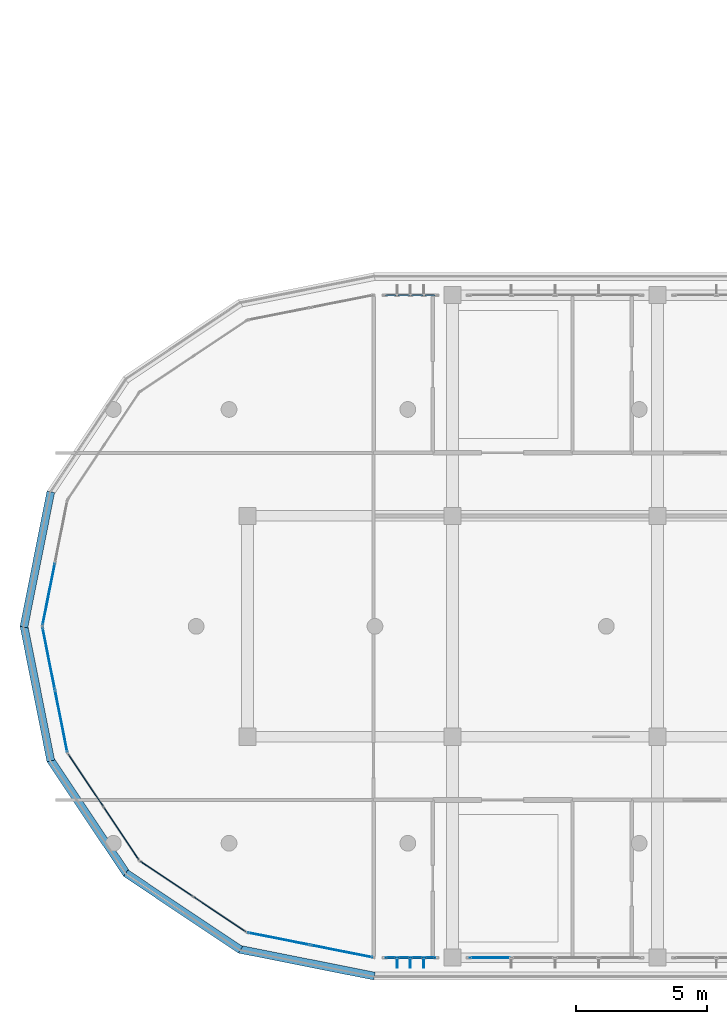
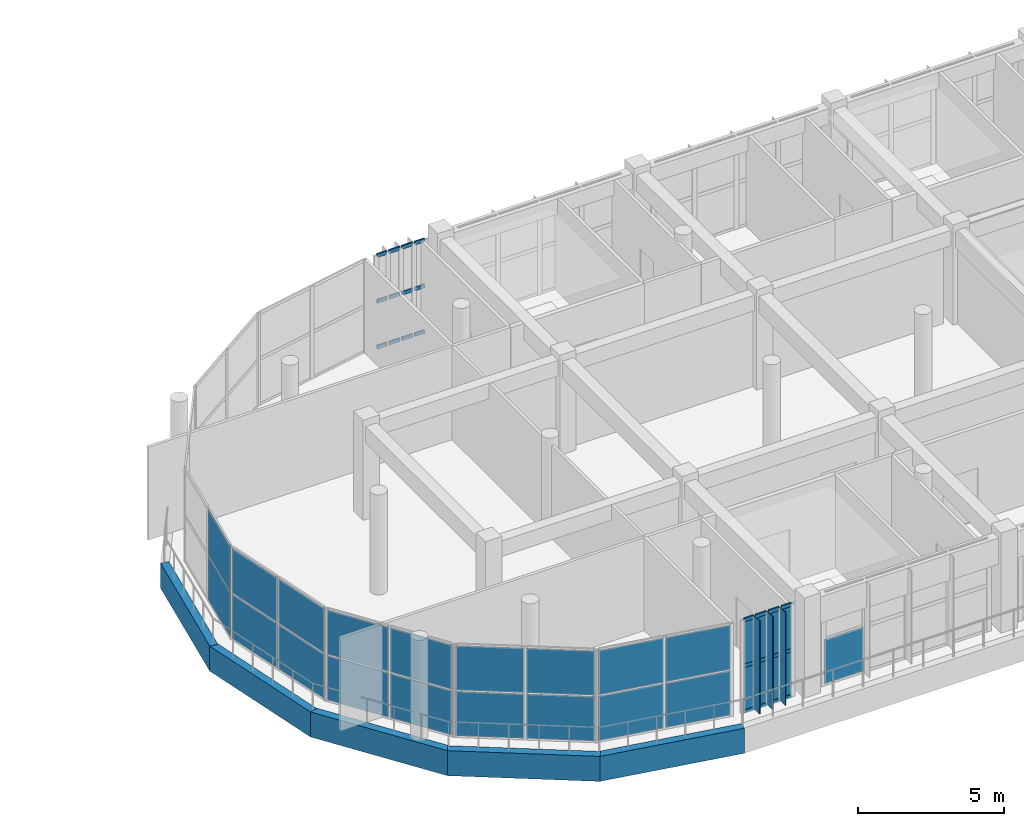
# One storey, part 37 of 63: 35 plates, 24 members, 8 elements without a shape of their own.
"""IFC4 building model written with IfcOpenShell, lengths in metres."""

from ifc_helpers import new_model, si_unit, direction, frame, origin, origin_2d, place, context, subcontext, project, spatial, polyline, rectangle, hollow_rectangle, outline, extrude, material, layer, layer_set, material_profile, profile_set, type_object, element, aggregate, save


model = new_model("IFC4")

# Units and contexts
model_context = context("Model", 3, precision=1e-05, world=origin(), true_north=direction((0.0, 1.0)))
body_context = subcontext(model_context, "Body", "Model", "MODEL_VIEW")
ifc_project = project(units=[si_unit("LENGTHUNIT", "METRE"), si_unit("AREAUNIT", "SQUARE_METRE"), si_unit("VOLUMEUNIT", "CUBIC_METRE"), si_unit("PLANEANGLEUNIT", "RADIAN"), si_unit("MASSUNIT", "GRAM", prefix="KILO")], contexts=[model_context])

# Site, building, storey
site_placement = place(None, origin())
site = spatial("IfcSite", under=ifc_project, at=site_placement, CompositionType="ELEMENT")
building_placement = place(site_placement, origin())
building = spatial("IfcBuilding", under=site, at=building_placement, Name="Zizhar Promenade General Hospital", CompositionType="ELEMENT")
storey_placement = place(building_placement, frame((0.0, 0.0, 18.0)))
storey = spatial("IfcBuildingStorey", under=building, at=storey_placement, Name="L04", CompositionType="ELEMENT", Elevation=18.0)

# Curtain wall, members
ifc_material_1 = material(Name="Anodised aluminium 6063-T6 and low-E glass", Category="aluminium")
ifc_layer_1 = layer(ifc_material_1, 0.159912109375)
ifc_layer_set_1 = layer_set([ifc_layer_1], Name="Anodised aluminium 6063-T6 and low-E glass")
curtain_wall_type_1 = type_object("IfcCurtainWallType", Name="CW-WARD-RIB", PredefinedType="NOTDEFINED", material=ifc_layer_set_1)
curtain_wall_1_placement = place(storey_placement, origin())
curtain_wall_1 = element("IfcCurtainWall", 1, at=curtain_wall_1_placement, inside=storey, type_object=curtain_wall_type_1, Name="Ward Ribbon Curtain Wall L04-8-0", PredefinedType="NOTDEFINED")
ifc_material_2 = material(Name="Anodised aluminium 6063-T6", Category="aluminium")
ifc_material_profile = material_profile(ifc_material_2, hollow_rectangle(XDim=0.06005859375, YDim=0.14990234375, WallThickness=0.00390625, at=origin_2d()))
ifc_profile_set = profile_set([ifc_material_profile], Name="Anodised aluminium 6063-T6")
member_type = type_object("IfcMemberType", Name="CWT-ALU-150x60", PredefinedType="USERDEFINED", material=ifc_profile_set)
member_1_placement = place(storey_placement, frame((28.659912109375, 25.199951171875, 0.030029296875), z_axis=(1.0, 0.0, 0.0), x_axis=(0.0, 1.0, 0.0)))
member_1 = element("IfcMember", 2, at=member_1_placement, type_object=member_type, Name="CW-13 transom 1.1", ObjectType="TRANSOM", PredefinedType="USERDEFINED", context=body_context, shape_type="SweptSolid", body=[
    extrude(hollow_rectangle(XDim=0.06005859375, YDim=0.14990234375, WallThickness=0.00390625, at=origin_2d()), origin(), (0.0, 0.0, 1.0), 0.39013671875),
])
member_2_placement = place(storey_placement, frame((28.659912109375, 25.199951171875, 1.949951171875), z_axis=(1.0, 0.0, 0.0), x_axis=(0.0, 1.0, 0.0)))
member_2 = element("IfcMember", 3, at=member_2_placement, type_object=member_type, Name="CW-13 transom 1.2", ObjectType="TRANSOM", PredefinedType="USERDEFINED", context=body_context, shape_type="SweptSolid", body=[
    extrude(hollow_rectangle(XDim=0.06005859375, YDim=0.14990234375, WallThickness=0.00390625, at=origin_2d()), origin(), (0.0, 0.0, 1.0), 0.39013671875),
])
member_3_placement = place(storey_placement, frame((28.659912109375, 25.199951171875, 3.8701171875), z_axis=(1.0, 0.0, 0.0), x_axis=(0.0, 1.0, 0.0)))
member_3 = element("IfcMember", 4, at=member_3_placement, type_object=member_type, Name="CW-13 transom 1.3", ObjectType="TRANSOM", PredefinedType="USERDEFINED", context=body_context, shape_type="SweptSolid", body=[
    extrude(hollow_rectangle(XDim=0.06005859375, YDim=0.14990234375, WallThickness=0.00390625, at=origin_2d()), origin(), (0.0, 0.0, 1.0), 0.39013671875),
])
member_4_placement = place(storey_placement, frame((29.1298828125, 25.199951171875, 0.030029296875), z_axis=(1.0, 0.0, 0.0), x_axis=(0.0, 1.0, 0.0)))
member_4 = element("IfcMember", 5, at=member_4_placement, type_object=member_type, Name="CW-13 transom 2.1", ObjectType="TRANSOM", PredefinedType="USERDEFINED", context=body_context, shape_type="SweptSolid", body=[
    extrude(hollow_rectangle(XDim=0.06005859375, YDim=0.14990234375, WallThickness=0.00390625, at=origin_2d()), origin(), (0.0, 0.0, 1.0), 0.43017578125),
])
member_5_placement = place(storey_placement, frame((29.1298828125, 25.199951171875, 1.949951171875), z_axis=(1.0, 0.0, 0.0), x_axis=(0.0, 1.0, 0.0)))
member_5 = element("IfcMember", 6, at=member_5_placement, type_object=member_type, Name="CW-13 transom 2.2", ObjectType="TRANSOM", PredefinedType="USERDEFINED", context=body_context, shape_type="SweptSolid", body=[
    extrude(hollow_rectangle(XDim=0.06005859375, YDim=0.14990234375, WallThickness=0.00390625, at=origin_2d()), origin(), (0.0, 0.0, 1.0), 0.43017578125),
])
member_6_placement = place(storey_placement, frame((29.1298828125, 25.199951171875, 3.8701171875), z_axis=(1.0, 0.0, 0.0), x_axis=(0.0, 1.0, 0.0)))
member_6 = element("IfcMember", 7, at=member_6_placement, type_object=member_type, Name="CW-13 transom 2.3", ObjectType="TRANSOM", PredefinedType="USERDEFINED", context=body_context, shape_type="SweptSolid", body=[
    extrude(hollow_rectangle(XDim=0.06005859375, YDim=0.14990234375, WallThickness=0.00390625, at=origin_2d()), origin(), (0.0, 0.0, 1.0), 0.43017578125),
])
member_7_placement = place(storey_placement, frame((29.639892578125, 25.199951171875, 0.030029296875), z_axis=(1.0, 0.0, 0.0), x_axis=(0.0, 1.0, 0.0)))
member_7 = element("IfcMember", 8, at=member_7_placement, type_object=member_type, Name="CW-13 transom 3.1", ObjectType="TRANSOM", PredefinedType="USERDEFINED", context=body_context, shape_type="SweptSolid", body=[
    extrude(hollow_rectangle(XDim=0.06005859375, YDim=0.14990234375, WallThickness=0.00390625, at=origin_2d()), origin(), (0.0, 0.0, 1.0), 0.43017578125),
])
member_8_placement = place(storey_placement, frame((29.639892578125, 25.199951171875, 1.949951171875), z_axis=(1.0, 0.0, 0.0), x_axis=(0.0, 1.0, 0.0)))
member_8 = element("IfcMember", 9, at=member_8_placement, type_object=member_type, Name="CW-13 transom 3.2", ObjectType="TRANSOM", PredefinedType="USERDEFINED", context=body_context, shape_type="SweptSolid", body=[
    extrude(hollow_rectangle(XDim=0.06005859375, YDim=0.14990234375, WallThickness=0.00390625, at=origin_2d()), origin(), (0.0, 0.0, 1.0), 0.43017578125),
])
member_9_placement = place(storey_placement, frame((29.639892578125, 25.199951171875, 3.8701171875), z_axis=(1.0, 0.0, 0.0), x_axis=(0.0, 1.0, 0.0)))
member_9 = element("IfcMember", 10, at=member_9_placement, type_object=member_type, Name="CW-13 transom 3.3", ObjectType="TRANSOM", PredefinedType="USERDEFINED", context=body_context, shape_type="SweptSolid", body=[
    extrude(hollow_rectangle(XDim=0.06005859375, YDim=0.14990234375, WallThickness=0.00390625, at=origin_2d()), origin(), (0.0, 0.0, 1.0), 0.43017578125),
])
member_10_placement = place(storey_placement, frame((30.14990234375, 25.199951171875, 0.030029296875), z_axis=(1.0, 0.0, 0.0), x_axis=(0.0, 1.0, 0.0)))
member_10 = element("IfcMember", 11, at=member_10_placement, type_object=member_type, Name="CW-13 transom 4.1", ObjectType="TRANSOM", PredefinedType="USERDEFINED", context=body_context, shape_type="SweptSolid", body=[
    extrude(hollow_rectangle(XDim=0.06005859375, YDim=0.14990234375, WallThickness=0.00390625, at=origin_2d()), origin(), (0.0, 0.0, 1.0), 0.39013671875),
])
member_11_placement = place(storey_placement, frame((30.14990234375, 25.199951171875, 1.949951171875), z_axis=(1.0, 0.0, 0.0), x_axis=(0.0, 1.0, 0.0)))
member_11 = element("IfcMember", 12, at=member_11_placement, type_object=member_type, Name="CW-13 transom 4.2", ObjectType="TRANSOM", PredefinedType="USERDEFINED", context=body_context, shape_type="SweptSolid", body=[
    extrude(hollow_rectangle(XDim=0.06005859375, YDim=0.14990234375, WallThickness=0.00390625, at=origin_2d()), origin(), (0.0, 0.0, 1.0), 0.39013671875),
])
member_12_placement = place(storey_placement, frame((30.14990234375, 25.199951171875, 3.8701171875), z_axis=(1.0, 0.0, 0.0), x_axis=(0.0, 1.0, 0.0)))
member_12 = element("IfcMember", 13, at=member_12_placement, type_object=member_type, Name="CW-13 transom 4.3", ObjectType="TRANSOM", PredefinedType="USERDEFINED", context=body_context, shape_type="SweptSolid", body=[
    extrude(hollow_rectangle(XDim=0.06005859375, YDim=0.14990234375, WallThickness=0.00390625, at=origin_2d()), origin(), (0.0, 0.0, 1.0), 0.39013671875),
])
aggregate(curtain_wall_1, [member_1, member_2, member_3, member_4, member_5, member_6, member_7, member_8, member_9, member_10, member_11, member_12])

curtain_wall_2_placement = place(storey_placement, origin())
curtain_wall_2 = element("IfcCurtainWall", 14, at=curtain_wall_2_placement, inside=storey, type_object=curtain_wall_type_1, Name="Ward Ribbon Curtain Wall L04-17-11", PredefinedType="NOTDEFINED")
member_13_placement = place(storey_placement, frame((30.5400390625, 0.0, 0.030029296875), z_axis=(-1.0, 0.0, 0.0), x_axis=(0.0, -1.0, 0.0)))
member_13 = element("IfcMember", 15, at=member_13_placement, type_object=member_type, Name="CW-13 transom 1.1", ObjectType="TRANSOM", PredefinedType="USERDEFINED", context=body_context, shape_type="SweptSolid", body=[
    extrude(hollow_rectangle(XDim=0.06005859375, YDim=0.14990234375, WallThickness=0.00390625, at=origin_2d()), origin(), (0.0, 0.0, 1.0), 0.39013671875),
])
member_14_placement = place(storey_placement, frame((30.5400390625, 0.0, 1.949951171875), z_axis=(-1.0, 0.0, 0.0), x_axis=(0.0, -1.0, 0.0)))
member_14 = element("IfcMember", 16, at=member_14_placement, type_object=member_type, Name="CW-13 transom 1.2", ObjectType="TRANSOM", PredefinedType="USERDEFINED", context=body_context, shape_type="SweptSolid", body=[
    extrude(hollow_rectangle(XDim=0.06005859375, YDim=0.14990234375, WallThickness=0.00390625, at=origin_2d()), origin(), (0.0, 0.0, 1.0), 0.39013671875),
])
member_15_placement = place(storey_placement, frame((30.5400390625, 0.0, 3.8701171875), z_axis=(-1.0, 0.0, 0.0), x_axis=(0.0, -1.0, 0.0)))
member_15 = element("IfcMember", 17, at=member_15_placement, type_object=member_type, Name="CW-13 transom 1.3", ObjectType="TRANSOM", PredefinedType="USERDEFINED", context=body_context, shape_type="SweptSolid", body=[
    extrude(hollow_rectangle(XDim=0.06005859375, YDim=0.14990234375, WallThickness=0.00390625, at=origin_2d()), origin(), (0.0, 0.0, 1.0), 0.39013671875),
])
member_16_placement = place(storey_placement, frame((30.070068359375, 0.0, 0.030029296875), z_axis=(-1.0, 0.0, 0.0), x_axis=(0.0, -1.0, 0.0)))
member_16 = element("IfcMember", 18, at=member_16_placement, type_object=member_type, Name="CW-13 transom 2.1", ObjectType="TRANSOM", PredefinedType="USERDEFINED", context=body_context, shape_type="SweptSolid", body=[
    extrude(hollow_rectangle(XDim=0.06005859375, YDim=0.14990234375, WallThickness=0.00390625, at=origin_2d()), origin(), (0.0, 0.0, 1.0), 0.43017578125),
])
member_17_placement = place(storey_placement, frame((30.070068359375, 0.0, 1.949951171875), z_axis=(-1.0, 0.0, 0.0), x_axis=(0.0, -1.0, 0.0)))
member_17 = element("IfcMember", 19, at=member_17_placement, type_object=member_type, Name="CW-13 transom 2.2", ObjectType="TRANSOM", PredefinedType="USERDEFINED", context=body_context, shape_type="SweptSolid", body=[
    extrude(hollow_rectangle(XDim=0.06005859375, YDim=0.14990234375, WallThickness=0.00390625, at=origin_2d()), origin(), (0.0, 0.0, 1.0), 0.43017578125),
])
member_18_placement = place(storey_placement, frame((30.070068359375, 0.0, 3.8701171875), z_axis=(-1.0, 0.0, 0.0), x_axis=(0.0, -1.0, 0.0)))
member_18 = element("IfcMember", 20, at=member_18_placement, type_object=member_type, Name="CW-13 transom 2.3", ObjectType="TRANSOM", PredefinedType="USERDEFINED", context=body_context, shape_type="SweptSolid", body=[
    extrude(hollow_rectangle(XDim=0.06005859375, YDim=0.14990234375, WallThickness=0.00390625, at=origin_2d()), origin(), (0.0, 0.0, 1.0), 0.43017578125),
])
member_19_placement = place(storey_placement, frame((29.56005859375, 0.0, 0.030029296875), z_axis=(-1.0, 0.0, 0.0), x_axis=(0.0, -1.0, 0.0)))
member_19 = element("IfcMember", 21, at=member_19_placement, type_object=member_type, Name="CW-13 transom 3.1", ObjectType="TRANSOM", PredefinedType="USERDEFINED", context=body_context, shape_type="SweptSolid", body=[
    extrude(hollow_rectangle(XDim=0.06005859375, YDim=0.14990234375, WallThickness=0.00390625, at=origin_2d()), origin(), (0.0, 0.0, 1.0), 0.43017578125),
])
member_20_placement = place(storey_placement, frame((29.56005859375, 0.0, 1.949951171875), z_axis=(-1.0, 0.0, 0.0), x_axis=(0.0, -1.0, 0.0)))
member_20 = element("IfcMember", 22, at=member_20_placement, type_object=member_type, Name="CW-13 transom 3.2", ObjectType="TRANSOM", PredefinedType="USERDEFINED", context=body_context, shape_type="SweptSolid", body=[
    extrude(hollow_rectangle(XDim=0.06005859375, YDim=0.14990234375, WallThickness=0.00390625, at=origin_2d()), origin(), (0.0, 0.0, 1.0), 0.43017578125),
])
member_21_placement = place(storey_placement, frame((29.56005859375, 0.0, 3.8701171875), z_axis=(-1.0, 0.0, 0.0), x_axis=(0.0, -1.0, 0.0)))
member_21 = element("IfcMember", 23, at=member_21_placement, type_object=member_type, Name="CW-13 transom 3.3", ObjectType="TRANSOM", PredefinedType="USERDEFINED", context=body_context, shape_type="SweptSolid", body=[
    extrude(hollow_rectangle(XDim=0.06005859375, YDim=0.14990234375, WallThickness=0.00390625, at=origin_2d()), origin(), (0.0, 0.0, 1.0), 0.43017578125),
])
member_22_placement = place(storey_placement, frame((29.050048828125, 0.0, 0.030029296875), z_axis=(-1.0, 0.0, 0.0), x_axis=(0.0, -1.0, 0.0)))
member_22 = element("IfcMember", 24, at=member_22_placement, type_object=member_type, Name="CW-13 transom 4.1", ObjectType="TRANSOM", PredefinedType="USERDEFINED", context=body_context, shape_type="SweptSolid", body=[
    extrude(hollow_rectangle(XDim=0.06005859375, YDim=0.14990234375, WallThickness=0.00390625, at=origin_2d()), origin(), (0.0, 0.0, 1.0), 0.39013671875),
])
member_23_placement = place(storey_placement, frame((29.050048828125, 0.0, 1.949951171875), z_axis=(-1.0, 0.0, 0.0), x_axis=(0.0, -1.0, 0.0)))
member_23 = element("IfcMember", 25, at=member_23_placement, type_object=member_type, Name="CW-13 transom 4.2", ObjectType="TRANSOM", PredefinedType="USERDEFINED", context=body_context, shape_type="SweptSolid", body=[
    extrude(hollow_rectangle(XDim=0.06005859375, YDim=0.14990234375, WallThickness=0.00390625, at=origin_2d()), origin(), (0.0, 0.0, 1.0), 0.39013671875),
])
member_24_placement = place(storey_placement, frame((29.050048828125, 0.0, 3.8701171875), z_axis=(-1.0, 0.0, 0.0), x_axis=(0.0, -1.0, 0.0)))
member_24 = element("IfcMember", 26, at=member_24_placement, type_object=member_type, Name="CW-13 transom 4.3", ObjectType="TRANSOM", PredefinedType="USERDEFINED", context=body_context, shape_type="SweptSolid", body=[
    extrude(hollow_rectangle(XDim=0.06005859375, YDim=0.14990234375, WallThickness=0.00390625, at=origin_2d()), origin(), (0.0, 0.0, 1.0), 0.39013671875),
])

# Curtain wall, plates
ifc_material_3 = material(Name="Anodised aluminium 6063-T6 and low-E glass", Category="aluminium")
ifc_layer_2 = layer(ifc_material_3, 0.159912109375)
ifc_layer_set_2 = layer_set([ifc_layer_2], Name="Anodised aluminium 6063-T6 and low-E glass")
curtain_wall_type_2 = type_object("IfcCurtainWallType", Name="CW-WARD-ARC", PredefinedType="NOTDEFINED", material=ifc_layer_set_2)
curtain_wall_3_placement = place(storey_placement, origin())
curtain_wall_3 = element("IfcCurtainWall", 27, at=curtain_wall_3_placement, inside=storey, type_object=curtain_wall_type_2, Name="Ward Semicircular End Glazing L04-13", PredefinedType="NOTDEFINED")
ifc_material_4 = material(Name="Low-E solar-control glass", Category="glass")
ifc_layer_3 = layer(ifc_material_4, 0.031982421875)
ifc_layer_set_3 = layer_set([ifc_layer_3], Name="Low-E solar-control glass")
plate_type_1 = type_object("IfcPlateType", Name="CWP-GLZ-32", PredefinedType="CURTAIN_PANEL", material=ifc_layer_set_3)
plate_1_placement = place(storey_placement, frame((15.8427734375, 13.820068359375, 0.06005859375), z_axis=(0.0, 0.0, 1.0), x_axis=(0.195087259275, 0.980785889615, 0.0)))
plate_1 = element("IfcPlate", 28, at=plate_1_placement, type_object=plate_type_1, Name="CW-12 panel 1.1", PredefinedType="CURTAIN_PANEL", context=body_context, shape_type="SweptSolid", body=[
    extrude(rectangle(XDim=2.3681640625, YDim=0.031982421875, at=origin_2d()), origin(), (0.0, 0.0, 1.0), 1.860107421875),
])
plate_2_placement = place(storey_placement, frame((15.8427734375, 13.820068359375, 1.97998046875), z_axis=(0.0, 0.0, 1.0), x_axis=(0.195087259275, 0.980785889615, 0.0)))
plate_2 = element("IfcPlate", 29, at=plate_2_placement, type_object=plate_type_1, Name="CW-12 panel 1.2", PredefinedType="CURTAIN_PANEL", context=body_context, shape_type="SweptSolid", body=[
    extrude(rectangle(XDim=2.3681640625, YDim=0.031982421875, at=origin_2d()), origin(), (0.0, 0.0, 1.0), 1.860107421875),
])
aggregate(curtain_wall_3, [plate_1, plate_2])

curtain_wall_4_placement = place(storey_placement, origin())
curtain_wall_4 = element("IfcCurtainWall", 30, at=curtain_wall_4_placement, inside=storey, type_object=curtain_wall_type_2, Name="Ward Semicircular End Glazing L04-14", PredefinedType="NOTDEFINED")
plate_3_placement = place(storey_placement, frame((16.31640625, 8.998291015625, 0.06005859375), z_axis=(0.0, 0.0, 1.0), x_axis=(-0.195087259275, 0.980785889615, 0.0)))
plate_3 = element("IfcPlate", 31, at=plate_3_placement, type_object=plate_type_1, Name="CW-12 panel 1.1", PredefinedType="CURTAIN_PANEL", context=body_context, shape_type="SweptSolid", body=[
    extrude(rectangle(XDim=2.3681640625, YDim=0.031982421875, at=origin_2d()), origin(), (0.0, 0.0, 1.0), 1.860107421875),
])
plate_4_placement = place(storey_placement, frame((16.31640625, 8.998291015625, 1.97998046875), z_axis=(0.0, 0.0, 1.0), x_axis=(-0.195087259275, 0.980785889615, 0.0)))
plate_4 = element("IfcPlate", 32, at=plate_4_placement, type_object=plate_type_1, Name="CW-12 panel 1.2", PredefinedType="CURTAIN_PANEL", context=body_context, shape_type="SweptSolid", body=[
    extrude(rectangle(XDim=2.3681640625, YDim=0.031982421875, at=origin_2d()), origin(), (0.0, 0.0, 1.0), 1.860107421875),
])
plate_5_placement = place(storey_placement, frame((15.8427734375, 11.3798828125, 0.06005859375), z_axis=(0.0, 0.0, 1.0), x_axis=(-0.195087259275, 0.980785889615, 0.0)))
plate_5 = element("IfcPlate", 33, at=plate_5_placement, type_object=plate_type_1, Name="CW-12 panel 2.1", PredefinedType="CURTAIN_PANEL", context=body_context, shape_type="SweptSolid", body=[
    extrude(rectangle(XDim=2.3681640625, YDim=0.031982421875, at=origin_2d()), origin(), (0.0, 0.0, 1.0), 1.860107421875),
])
plate_6_placement = place(storey_placement, frame((15.8427734375, 11.3798828125, 1.97998046875), z_axis=(0.0, 0.0, 1.0), x_axis=(-0.195087259275, 0.980785889615, 0.0)))
plate_6 = element("IfcPlate", 34, at=plate_6_placement, type_object=plate_type_1, Name="CW-12 panel 2.2", PredefinedType="CURTAIN_PANEL", context=body_context, shape_type="SweptSolid", body=[
    extrude(rectangle(XDim=2.3681640625, YDim=0.031982421875, at=origin_2d()), origin(), (0.0, 0.0, 1.0), 1.860107421875),
])
aggregate(curtain_wall_4, [plate_3, plate_4, plate_5, plate_6])

curtain_wall_5_placement = place(storey_placement, origin())
curtain_wall_5 = element("IfcCurtainWall", 35, at=curtain_wall_5_placement, inside=storey, type_object=curtain_wall_type_2, Name="Ward Semicircular End Glazing L04-15", PredefinedType="NOTDEFINED")
plate_7_placement = place(storey_placement, frame((18.599365234375, 4.724853515625, 0.06005859375), z_axis=(0.0, 0.0, 1.0), x_axis=(-0.555582352095, 0.831461514468, 0.0)))
plate_7 = element("IfcPlate", 36, at=plate_7_placement, type_object=plate_type_1, Name="CW-12 panel 1.1", PredefinedType="CURTAIN_PANEL", context=body_context, shape_type="SweptSolid", body=[
    extrude(rectangle(XDim=2.3681640625, YDim=0.031982421875, at=origin_2d()), origin(), (0.0, 0.0, 1.0), 1.860107421875),
])
plate_8_placement = place(storey_placement, frame((18.599365234375, 4.724853515625, 1.97998046875), z_axis=(0.0, 0.0, 1.0), x_axis=(-0.555582352095, 0.831461514468, 0.0)))
plate_8 = element("IfcPlate", 37, at=plate_8_placement, type_object=plate_type_1, Name="CW-12 panel 1.2", PredefinedType="CURTAIN_PANEL", context=body_context, shape_type="SweptSolid", body=[
    extrude(rectangle(XDim=2.3681640625, YDim=0.031982421875, at=origin_2d()), origin(), (0.0, 0.0, 1.0), 1.860107421875),
])
plate_9_placement = place(storey_placement, frame((17.250244140625, 6.743896484375, 0.06005859375), z_axis=(0.0, 0.0, 1.0), x_axis=(-0.555582352095, 0.831461514468, 0.0)))
plate_9 = element("IfcPlate", 38, at=plate_9_placement, type_object=plate_type_1, Name="CW-12 panel 2.1", PredefinedType="CURTAIN_PANEL", context=body_context, shape_type="SweptSolid", body=[
    extrude(rectangle(XDim=2.3681640625, YDim=0.031982421875, at=origin_2d()), origin(), (0.0, 0.0, 1.0), 1.860107421875),
])
plate_10_placement = place(storey_placement, frame((17.250244140625, 6.743896484375, 1.97998046875), z_axis=(0.0, 0.0, 1.0), x_axis=(-0.555582352095, 0.831461514468, 0.0)))
plate_10 = element("IfcPlate", 39, at=plate_10_placement, type_object=plate_type_1, Name="CW-12 panel 2.2", PredefinedType="CURTAIN_PANEL", context=body_context, shape_type="SweptSolid", body=[
    extrude(rectangle(XDim=2.3681640625, YDim=0.031982421875, at=origin_2d()), origin(), (0.0, 0.0, 1.0), 1.860107421875),
])
aggregate(curtain_wall_5, [plate_7, plate_8, plate_9, plate_10])

curtain_wall_6_placement = place(storey_placement, origin())
curtain_wall_6 = element("IfcCurtainWall", 40, at=curtain_wall_6_placement, inside=storey, type_object=curtain_wall_type_2, Name="Ward Semicircular End Glazing L04-16", PredefinedType="NOTDEFINED")
plate_11_placement = place(storey_placement, frame((22.34375, 1.650390625, 0.06005859375), z_axis=(0.0, 0.0, 1.0), x_axis=(-0.831461514468, 0.555582352095, 0.0)))
plate_11 = element("IfcPlate", 41, at=plate_11_placement, type_object=plate_type_1, Name="CW-12 panel 1.1", PredefinedType="CURTAIN_PANEL", context=body_context, shape_type="SweptSolid", body=[
    extrude(rectangle(XDim=2.3681640625, YDim=0.031982421875, at=origin_2d()), origin(), (0.0, 0.0, 1.0), 1.860107421875),
])
plate_12_placement = place(storey_placement, frame((22.34375, 1.650390625, 1.97998046875), z_axis=(0.0, 0.0, 1.0), x_axis=(-0.831461514468, 0.555582352095, 0.0)))
plate_12 = element("IfcPlate", 42, at=plate_12_placement, type_object=plate_type_1, Name="CW-12 panel 1.2", PredefinedType="CURTAIN_PANEL", context=body_context, shape_type="SweptSolid", body=[
    extrude(rectangle(XDim=2.3681640625, YDim=0.031982421875, at=origin_2d()), origin(), (0.0, 0.0, 1.0), 1.860107421875),
])
plate_13_placement = place(storey_placement, frame((20.324951171875, 2.999267578125, 0.06005859375), z_axis=(0.0, 0.0, 1.0), x_axis=(-0.831461514468, 0.555582352095, 0.0)))
plate_13 = element("IfcPlate", 43, at=plate_13_placement, type_object=plate_type_1, Name="CW-12 panel 2.1", PredefinedType="CURTAIN_PANEL", context=body_context, shape_type="SweptSolid", body=[
    extrude(rectangle(XDim=2.3681640625, YDim=0.031982421875, at=origin_2d()), origin(), (0.0, 0.0, 1.0), 1.860107421875),
])
plate_14_placement = place(storey_placement, frame((20.324951171875, 2.999267578125, 1.97998046875), z_axis=(0.0, 0.0, 1.0), x_axis=(-0.831461514468, 0.555582352095, 0.0)))
plate_14 = element("IfcPlate", 44, at=plate_14_placement, type_object=plate_type_1, Name="CW-12 panel 2.2", PredefinedType="CURTAIN_PANEL", context=body_context, shape_type="SweptSolid", body=[
    extrude(rectangle(XDim=2.3681640625, YDim=0.031982421875, at=origin_2d()), origin(), (0.0, 0.0, 1.0), 1.860107421875),
])
aggregate(curtain_wall_6, [plate_11, plate_12, plate_13, plate_14])

curtain_wall_7_placement = place(storey_placement, origin())
curtain_wall_7 = element("IfcCurtainWall", 45, at=curtain_wall_7_placement, inside=storey, type_object=curtain_wall_type_2, Name="Ward Semicircular End Glazing L04-17", PredefinedType="NOTDEFINED")
plate_15_placement = place(storey_placement, frame((26.979736328125, 0.24267578125, 0.06005859375), z_axis=(0.0, 0.0, 1.0), x_axis=(-0.980785889615, 0.195087259275, 0.0)))
plate_15 = element("IfcPlate", 46, at=plate_15_placement, type_object=plate_type_1, Name="CW-12 panel 1.1", PredefinedType="CURTAIN_PANEL", context=body_context, shape_type="SweptSolid", body=[
    extrude(rectangle(XDim=2.3681640625, YDim=0.031982421875, at=origin_2d()), origin(), (0.0, 0.0, 1.0), 1.860107421875),
])
plate_16_placement = place(storey_placement, frame((26.979736328125, 0.24267578125, 1.97998046875), z_axis=(0.0, 0.0, 1.0), x_axis=(-0.980785889615, 0.195087259275, 0.0)))
plate_16 = element("IfcPlate", 47, at=plate_16_placement, type_object=plate_type_1, Name="CW-12 panel 1.2", PredefinedType="CURTAIN_PANEL", context=body_context, shape_type="SweptSolid", body=[
    extrude(rectangle(XDim=2.3681640625, YDim=0.031982421875, at=origin_2d()), origin(), (0.0, 0.0, 1.0), 1.860107421875),
])
plate_17_placement = place(storey_placement, frame((24.598388671875, 0.71630859375, 0.06005859375), z_axis=(0.0, 0.0, 1.0), x_axis=(-0.980785889615, 0.195087259275, 0.0)))
plate_17 = element("IfcPlate", 48, at=plate_17_placement, type_object=plate_type_1, Name="CW-12 panel 2.1", PredefinedType="CURTAIN_PANEL", context=body_context, shape_type="SweptSolid", body=[
    extrude(rectangle(XDim=2.3681640625, YDim=0.031982421875, at=origin_2d()), origin(), (0.0, 0.0, 1.0), 1.860107421875),
])
plate_18_placement = place(storey_placement, frame((24.598388671875, 0.71630859375, 1.97998046875), z_axis=(0.0, 0.0, 1.0), x_axis=(-0.980785889615, 0.195087259275, 0.0)))
plate_18 = element("IfcPlate", 49, at=plate_18_placement, type_object=plate_type_1, Name="CW-12 panel 2.2", PredefinedType="CURTAIN_PANEL", context=body_context, shape_type="SweptSolid", body=[
    extrude(rectangle(XDim=2.3681640625, YDim=0.031982421875, at=origin_2d()), origin(), (0.0, 0.0, 1.0), 1.860107421875),
])
aggregate(curtain_wall_7, [plate_15, plate_16, plate_17, plate_18])

# Curtain wall, plate
curtain_wall_8_placement = place(storey_placement, origin())
curtain_wall_8 = element("IfcCurtainWall", 50, at=curtain_wall_8_placement, inside=storey, type_object=curtain_wall_type_1, Name="Ward Ribbon Curtain Wall L04-17-10", PredefinedType="NOTDEFINED")
plate_19_placement = place(storey_placement, frame((32.6298828125, 0.0, 0.06005859375), z_axis=(0.0, 0.0, 1.0), x_axis=(-1.0, 0.0, 0.0)))
plate_19 = element("IfcPlate", 51, at=plate_19_placement, type_object=plate_type_1, Name="CW-13 panel 4.1", PredefinedType="CURTAIN_PANEL", context=body_context, shape_type="SweptSolid", body=[
    extrude(rectangle(XDim=1.5400390625, YDim=0.031982421875, at=origin_2d()), origin(), (0.0, 0.0, 1.0), 1.860107421875),
])
aggregate(curtain_wall_8, [plate_19])

# Plate
plate_20_placement = place(storey_placement, frame((30.344970703125, 0.0, 0.06005859375), z_axis=(0.0, 0.0, 1.0), x_axis=(-1.0, 0.0, 0.0)))
plate_20 = element("IfcPlate", 52, at=plate_20_placement, type_object=plate_type_1, Name="CW-13 panel 1.1", PredefinedType="CURTAIN_PANEL", context=body_context, shape_type="SweptSolid", body=[
    extrude(rectangle(XDim=0.389892578125, YDim=0.031982421875, at=origin_2d()), origin(), (0.0, 0.0, 1.0), 1.860107421875),
])

plate_21_placement = place(storey_placement, frame((30.344970703125, 0.0, 1.97998046875), z_axis=(0.0, 0.0, 1.0), x_axis=(-1.0, 0.0, 0.0)))
plate_21 = element("IfcPlate", 53, at=plate_21_placement, type_object=plate_type_1, Name="CW-13 panel 1.2", PredefinedType="CURTAIN_PANEL", context=body_context, shape_type="SweptSolid", body=[
    extrude(rectangle(XDim=0.389892578125, YDim=0.031982421875, at=origin_2d()), origin(), (0.0, 0.0, 1.0), 1.860107421875),
])

plate_22_placement = place(storey_placement, frame((29.85498046875, 0.0, 0.06005859375), z_axis=(0.0, 0.0, 1.0), x_axis=(-1.0, 0.0, 0.0)))
plate_22 = element("IfcPlate", 54, at=plate_22_placement, type_object=plate_type_1, Name="CW-13 panel 2.1", PredefinedType="CURTAIN_PANEL", context=body_context, shape_type="SweptSolid", body=[
    extrude(rectangle(XDim=0.429931640625, YDim=0.031982421875, at=origin_2d()), origin(), (0.0, 0.0, 1.0), 1.860107421875),
])

plate_23_placement = place(storey_placement, frame((29.85498046875, 0.0, 1.97998046875), z_axis=(0.0, 0.0, 1.0), x_axis=(-1.0, 0.0, 0.0)))
plate_23 = element("IfcPlate", 55, at=plate_23_placement, type_object=plate_type_1, Name="CW-13 panel 2.2", PredefinedType="CURTAIN_PANEL", context=body_context, shape_type="SweptSolid", body=[
    extrude(rectangle(XDim=0.429931640625, YDim=0.031982421875, at=origin_2d()), origin(), (0.0, 0.0, 1.0), 1.860107421875),
])

plate_24_placement = place(storey_placement, frame((29.344970703125, 0.0, 0.06005859375), z_axis=(0.0, 0.0, 1.0), x_axis=(-1.0, 0.0, 0.0)))
plate_24 = element("IfcPlate", 56, at=plate_24_placement, type_object=plate_type_1, Name="CW-13 panel 3.1", PredefinedType="CURTAIN_PANEL", context=body_context, shape_type="SweptSolid", body=[
    extrude(rectangle(XDim=0.429931640625, YDim=0.031982421875, at=origin_2d()), origin(), (0.0, 0.0, 1.0), 1.860107421875),
])

plate_25_placement = place(storey_placement, frame((29.344970703125, 0.0, 1.97998046875), z_axis=(0.0, 0.0, 1.0), x_axis=(-1.0, 0.0, 0.0)))
plate_25 = element("IfcPlate", 57, at=plate_25_placement, type_object=plate_type_1, Name="CW-13 panel 3.2", PredefinedType="CURTAIN_PANEL", context=body_context, shape_type="SweptSolid", body=[
    extrude(rectangle(XDim=0.429931640625, YDim=0.031982421875, at=origin_2d()), origin(), (0.0, 0.0, 1.0), 1.860107421875),
])

plate_26_placement = place(storey_placement, frame((28.85498046875, 0.0, 0.06005859375), z_axis=(0.0, 0.0, 1.0), x_axis=(-1.0, 0.0, 0.0)))
plate_26 = element("IfcPlate", 58, at=plate_26_placement, type_object=plate_type_1, Name="CW-13 panel 4.1", PredefinedType="CURTAIN_PANEL", context=body_context, shape_type="SweptSolid", body=[
    extrude(rectangle(XDim=0.389892578125, YDim=0.031982421875, at=origin_2d()), origin(), (0.0, 0.0, 1.0), 1.860107421875),
])

plate_27_placement = place(storey_placement, frame((28.85498046875, 0.0, 1.97998046875), z_axis=(0.0, 0.0, 1.0), x_axis=(-1.0, 0.0, 0.0)))
plate_27 = element("IfcPlate", 59, at=plate_27_placement, type_object=plate_type_1, Name="CW-13 panel 4.2", PredefinedType="CURTAIN_PANEL", context=body_context, shape_type="SweptSolid", body=[
    extrude(rectangle(XDim=0.389892578125, YDim=0.031982421875, at=origin_2d()), origin(), (0.0, 0.0, 1.0), 1.860107421875),
])

aggregate(curtain_wall_2, [member_13, member_14, member_15, plate_20, plate_21, member_16, member_17, member_18, plate_22, plate_23, member_19, member_20, member_21, plate_24, plate_25, member_22, member_23, member_24, plate_26, plate_27])

# Plates
ifc_material_5 = material(Name="Anodised aluminium 6063-T6", Category="aluminium")
ifc_layer_4 = layer(ifc_material_5, 0.035888671875)
ifc_layer_set_4 = layer_set([ifc_layer_4], Name="Anodised aluminium 6063-T6")
plate_type_2 = type_object("IfcPlateType", Name="FIN-ALU-380", PredefinedType="USERDEFINED", material=ifc_layer_set_4)
plate_28_placement = place(storey_placement, origin())
element("IfcPlate", 60, at=plate_28_placement, inside=storey, type_object=plate_type_2, Name="Ward Ribbon Curtain Wall L04-17-11 Solar Fin 1", ObjectType="SOLAR_SHADE", PredefinedType="USERDEFINED", context=body_context, shape_type="SweptSolid", body=[
    extrude(outline(polyline([(30.1279296875, 0.0), (30.092041015625, 0.0), (30.092041015625, -0.3798828125), (30.1279296875, -0.3798828125), (30.1279296875, 0.0)])), origin(), (0.0, 0.0, 1.0), 3.89990234375),
])
plate_29_placement = place(storey_placement, origin())
element("IfcPlate", 61, at=plate_29_placement, inside=storey, type_object=plate_type_2, Name="Ward Ribbon Curtain Wall L04-17-11 Solar Fin 2", ObjectType="SOLAR_SHADE", PredefinedType="USERDEFINED", context=body_context, shape_type="SweptSolid", body=[
    extrude(outline(polyline([(29.617919921875, 0.0), (29.58203125, 0.0), (29.58203125, -0.3798828125), (29.617919921875, -0.3798828125), (29.617919921875, 0.0)])), origin(), (0.0, 0.0, 1.0), 3.89990234375),
])
plate_30_placement = place(storey_placement, origin())
element("IfcPlate", 62, at=plate_30_placement, inside=storey, type_object=plate_type_2, Name="Ward Ribbon Curtain Wall L04-17-11 Solar Fin 3", ObjectType="SOLAR_SHADE", PredefinedType="USERDEFINED", context=body_context, shape_type="SweptSolid", body=[
    extrude(outline(polyline([(29.10791015625, 0.0), (29.072021484375, 0.0), (29.072021484375, -0.3798828125), (29.10791015625, -0.3798828125), (29.10791015625, 0.0)])), origin(), (0.0, 0.0, 1.0), 3.89990234375),
])
ifc_material_6 = material(Name="Precast concrete C40/50", Category="concrete")
ifc_layer_5 = layer(ifc_material_6, 0.300048828125)
ifc_layer_set_5 = layer_set([ifc_layer_5], Name="Precast concrete C40/50")
plate_type_3 = type_object("IfcPlateType", Name="PL-PC-BAND1100", PredefinedType="USERDEFINED", material=ifc_layer_set_5)
plate_31_placement = place(storey_placement, frame((0.0, 0.0, -1.050048828125)))
element("IfcPlate", 63, at=plate_31_placement, inside=storey, type_object=plate_type_3, Name="Ward Precast Slab Band L04-13", ObjectType="FASCIA_BAND", PredefinedType="USERDEFINED", context=body_context, shape_type="SweptSolid", body=[
    extrude(outline(polyline([(15.773681640625, 17.7470703125), (14.75, 12.60009765625), (15.044189453125, 12.54150390625), (16.068115234375, 17.688720703125), (15.773681640625, 17.7470703125)])), origin(), (0.0, 0.0, 1.0), 1.050048828125),
])
plate_32_placement = place(storey_placement, frame((0.0, 0.0, -1.050048828125)))
element("IfcPlate", 64, at=plate_32_placement, inside=storey, type_object=plate_type_3, Name="Ward Precast Slab Band L04-14", ObjectType="FASCIA_BAND", PredefinedType="USERDEFINED", context=body_context, shape_type="SweptSolid", body=[
    extrude(outline(polyline([(14.75, 12.60009765625), (15.773681640625, 7.452880859375), (16.068115234375, 7.511474609375), (15.044189453125, 12.658447265625), (14.75, 12.60009765625)])), origin(), (0.0, 0.0, 1.0), 1.050048828125),
])
plate_33_placement = place(storey_placement, frame((0.0, 0.0, -1.050048828125)))
element("IfcPlate", 65, at=plate_33_placement, inside=storey, type_object=plate_type_3, Name="Ward Precast Slab Band L04-15", ObjectType="FASCIA_BAND", PredefinedType="USERDEFINED", context=body_context, shape_type="SweptSolid", body=[
    extrude(outline(polyline([(15.773681640625, 7.452880859375), (18.689453125, 3.08935546875), (18.938720703125, 3.256103515625), (16.023193359375, 7.61962890625), (15.773681640625, 7.452880859375)])), origin(), (0.0, 0.0, 1.0), 1.050048828125),
])
plate_34_placement = place(storey_placement, frame((0.0, 0.0, -1.050048828125)))
element("IfcPlate", 66, at=plate_34_placement, inside=storey, type_object=plate_type_3, Name="Ward Precast Slab Band L04-16", ObjectType="FASCIA_BAND", PredefinedType="USERDEFINED", context=body_context, shape_type="SweptSolid", body=[
    extrude(outline(polyline([(18.689453125, 3.08935546875), (23.052978515625, 0.173828125), (23.219482421875, 0.423095703125), (18.856201171875, 3.3388671875), (18.689453125, 3.08935546875)])), origin(), (0.0, 0.0, 1.0), 1.050048828125),
])
plate_35_placement = place(storey_placement, frame((0.0, 0.0, -1.050048828125)))
element("IfcPlate", 67, at=plate_35_placement, inside=storey, type_object=plate_type_3, Name="Ward Precast Slab Band L04-17", ObjectType="FASCIA_BAND", PredefinedType="USERDEFINED", context=body_context, shape_type="SweptSolid", body=[
    extrude(outline(polyline([(23.052978515625, 0.173828125), (28.199951171875, -0.85009765625), (28.258544921875, -0.555908203125), (23.111328125, 0.468017578125), (23.052978515625, 0.173828125)])), origin(), (0.0, 0.0, 1.0), 1.050048828125),
])

save(model, "model.ifc")
